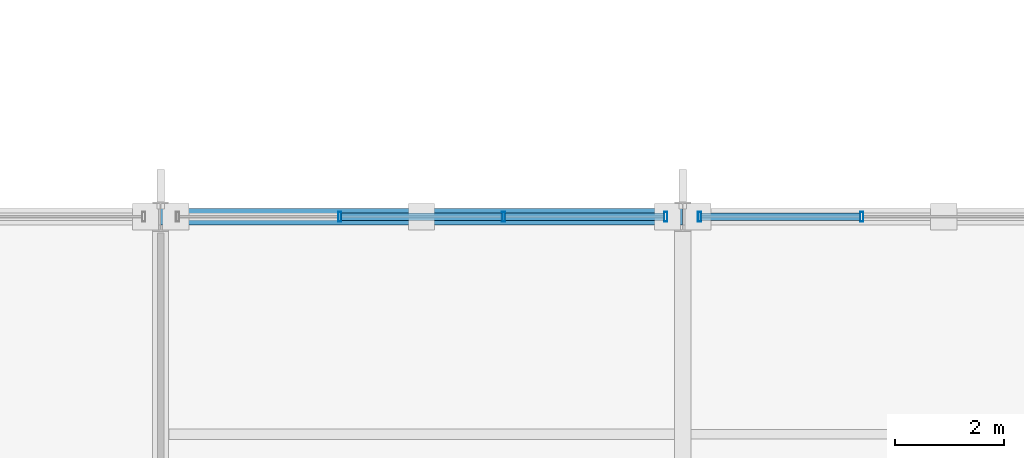
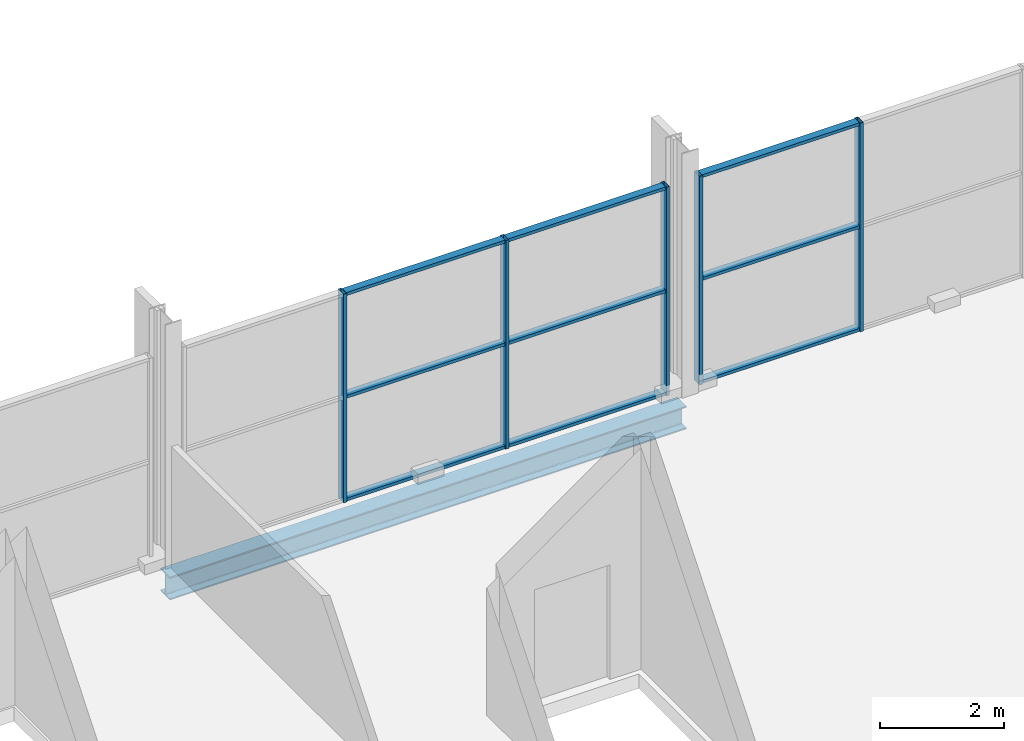
# One storey, part 87 of 159: 14 members, 1 beam, 2 elements without a shape of their own.
"""IFC4 building model written with IfcOpenShell, lengths in metres."""

import ifcopenshell
import ifcopenshell.guid

model = None  # the IFC model being written
_history = None  # IfcOwnerHistory: only IFC2X3 demands one
_inside = {}  # id of a spatial element -> (the spatial element, [elements in it])
_under = {}  # id of a project, library or spatial element -> (it, [spatial elements below it])
_declared = {}  # id of a project -> (the project, [libraries it declares])
_typed = {}  # id of a type object -> (the type object, [elements of that type])
_made_of = {}  # id of a material, layer set ... -> (it, [elements and type objects made of it])


def new_model(schema):
    """Start an empty IFC model of exactly this schema.

    Asked for "IFC4X3", IfcOpenShell would pick the latest addendum, in which some entities
    have other attributes; the version numbers below select the first issue.
    IFC2X3 requires an IfcOwnerHistory on every rooted entity: one is made here for all.
    """
    global model, _history
    if schema == "IFC4X3":
        model = ifcopenshell.file(schema_version=(4, 3, 0, 0))
    else:
        model = ifcopenshell.file(schema=schema)
    _inside.clear()
    _under.clear()
    _declared.clear()
    _typed.clear()
    _made_of.clear()
    _history = None
    if model.schema == "IFC2X3":
        org = make("IfcOrganization", Name="unknown")
        user = make(
            "IfcPersonAndOrganization",
            ThePerson=make("IfcPerson", FamilyName="unknown"),
            TheOrganization=org,
        )
        app = make(
            "IfcApplication",
            ApplicationDeveloper=org,
            Version="unknown",
            ApplicationFullName="unknown",
            ApplicationIdentifier="unknown",
        )
        _history = make(
            "IfcOwnerHistory",
            OwningUser=user,
            OwningApplication=app,
            ChangeAction="ADDED",
            CreationDate=0,
        )
    return model


def make(cls, **values):
    """One entity of the class cls with the attributes given. An attribute that is None is left unset."""
    return model.create_entity(
        cls, **{name: value for name, value in values.items() if value is not None}
    )


def rooted(cls, **values):
    """An entity with a GlobalId (a new one), such as an element, a storey or a relation."""
    return make(cls, GlobalId=ifcopenshell.guid.new(), OwnerHistory=_history, **values)


def si_unit(unit_type, name, prefix=None):
    """IfcSIUnit, for example si_unit("LENGTHUNIT", "METRE", prefix="MILLI")."""
    return make("IfcSIUnit", UnitType=unit_type, Prefix=prefix, Name=name)


def assignment(units):
    """IfcUnitAssignment: the units of a project."""
    return None if units is None else make("IfcUnitAssignment", Units=units)


def point(xyz):
    """IfcCartesianPoint."""
    return None if xyz is None else make("IfcCartesianPoint", Coordinates=xyz)


def direction(xyz):
    """IfcDirection."""
    return None if xyz is None else make("IfcDirection", DirectionRatios=xyz)


def frame(location, z_axis=None, x_axis=None):
    """IfcAxis2Placement3D, a coordinate frame: its origin and axes. An axis left out is left unset."""
    return make(
        "IfcAxis2Placement3D",
        Location=point(location),
        Axis=direction(z_axis),
        RefDirection=direction(x_axis),
    )


def frame_2d(location, x_axis=None):
    """IfcAxis2Placement2D, a coordinate frame in the plane: its origin and x axis."""
    return make(
        "IfcAxis2Placement2D", Location=point(location), RefDirection=direction(x_axis)
    )


def origin():
    """The frame at (0, 0, 0) with its axes left unset."""
    return frame((0.0, 0.0, 0.0))


def origin_2d():
    """The frame at (0, 0) in the plane with its x axis left unset."""
    return frame_2d((0.0, 0.0))


def place(relative_to, where):
    """IfcLocalPlacement: puts the frame where relative to a parent placement (None: the world)."""
    return make(
        "IfcLocalPlacement", PlacementRelTo=relative_to, RelativePlacement=where
    )


def context(
    kind, dimensions, precision=None, world=None, true_north=None, identifier=None
):
    """IfcGeometricRepresentationContext, for example the 3D "Model" context."""
    return make(
        "IfcGeometricRepresentationContext",
        ContextIdentifier=identifier,
        ContextType=kind,
        CoordinateSpaceDimension=dimensions,
        Precision=precision,
        WorldCoordinateSystem=world,
        TrueNorth=true_north,
    )


def subcontext(parent, identifier, kind, view, scale=None):
    """IfcGeometricRepresentationSubContext, for example "Body" below "Model"."""
    return make(
        "IfcGeometricRepresentationSubContext",
        ContextIdentifier=identifier,
        ContextType=kind,
        ParentContext=parent,
        TargetScale=scale,
        TargetView=view,
    )


def project(units=None, contexts=None):
    """IfcProject with its units and contexts."""
    return rooted(
        "IfcProject",
        Name="project",
        RepresentationContexts=contexts,
        UnitsInContext=assignment(units),
    )


def spatial(cls, under=None, at=None, **own):
    """A site, building, storey or space (cls), placed at a placement, below another one or the project."""
    s = rooted(cls, ObjectPlacement=at, **own)
    if under is not None:
        _under.setdefault(under.id(), (under, []))[1].append(s)
    return s


def profile(cls, at=None, kind="AREA", **sizes):
    """A parametric profile (cls). Its sizes go by their IFC names, for example OverallWidth=200.0."""
    return make(cls, ProfileType=kind, Position=at, **sizes)


def hollow_rectangle(**sizes):
    """IfcRectangleHollowProfileDef."""
    return profile("IfcRectangleHollowProfileDef", **sizes)


def i_section(**sizes):
    """IfcIShapeProfileDef."""
    return profile("IfcIShapeProfileDef", **sizes)


def extrude(swept, where, along, depth):
    """IfcExtrudedAreaSolid: the profile swept, set in the frame where, extruded along a direction by depth."""
    return make(
        "IfcExtrudedAreaSolid",
        SweptArea=swept,
        Position=where,
        ExtrudedDirection=direction(along),
        Depth=depth,
    )


def shape(context_of_items, identifier, shape_type, items):
    """IfcShapeRepresentation: the items that make up one representation, for example the "Body"."""
    return make(
        "IfcShapeRepresentation",
        ContextOfItems=context_of_items,
        RepresentationIdentifier=identifier,
        RepresentationType=shape_type,
        Items=items,
    )


def material(Name=None, Category=None):
    """IfcMaterial."""
    return make("IfcMaterial", Name=Name, Category=Category)


def material_profile(
    of_material, cross_section, Name=None, Category=None, Priority=None
):
    """IfcMaterialProfile: a cross section and its material."""
    return make(
        "IfcMaterialProfile",
        Name=Name,
        Material=of_material,
        Profile=cross_section,
        Priority=Priority,
        Category=Category,
    )


def profile_set(profiles, Name=None, composite=None):
    """IfcMaterialProfileSet."""
    return make(
        "IfcMaterialProfileSet",
        Name=Name,
        MaterialProfiles=profiles,
        CompositeProfile=composite,
    )


def made_of(thing, what):
    """Note that an element or type object is made of a material, layer set ...; save() writes the relation."""
    if what is not None:
        _made_of.setdefault(what.id(), (what, []))[1].append(thing)
    return thing


def type_object(cls, material=None, **own):
    """A type object (cls), such as IfcWallType, which elements share."""
    return made_of(rooted(cls, **own), material)


def element(
    cls,
    number,
    at=None,
    inside=None,
    cuts=None,
    type_object=None,
    material=None,
    context=None,
    identifier="Body",
    shape_type=None,
    held_by="IfcProductDefinitionShape",
    body=None,
    shapes=None,
    **own,
):
    """One element of the class cls, such as IfcWall. Its Tag is "e" and its number.

    at: its placement. inside: the storey or other place that contains it. cuts: it is an
    opening in that element (IfcRelVoidsElement). A single representation is given by context,
    identifier, shape_type and body (its items); several are given by shapes. held_by: the class
    of the entity that holds the representations. save() writes the other relations.
    """
    e = rooted(cls, Tag="e%d" % number, ObjectPlacement=at, **own)
    if body is not None:
        shapes = [shape(context, identifier, shape_type, body)]
    if shapes is not None:
        e.Representation = make(held_by, Representations=shapes)
    if inside is not None:
        _inside.setdefault(inside.id(), (inside, []))[1].append(e)
    if cuts is not None:
        rooted(
            "IfcRelVoidsElement", RelatingBuildingElement=cuts, RelatedOpeningElement=e
        )
    if type_object is not None:
        _typed.setdefault(type_object.id(), (type_object, []))[1].append(e)
    return made_of(e, material)


def aggregate(whole, parts):
    """IfcRelAggregates: a whole, such as a stair, and the parts it consists of."""
    return rooted("IfcRelAggregates", RelatingObject=whole, RelatedObjects=parts)


def save(model, path):
    """Write the relations noted so far, then the file.

    IfcRelAggregates (storeys below a building ...), IfcRelContainedInSpatialStructure (elements
    in a storey), IfcRelDefinesByType, IfcRelAssociatesMaterial and IfcRelDeclares: one each for
    every whole, place, type object, material and project.
    """
    for whole, parts in _under.values():
        aggregate(whole, parts)
    for where, things in _inside.values():
        rooted(
            "IfcRelContainedInSpatialStructure",
            RelatedElements=things,
            RelatingStructure=where,
        )
    for kind, things in _typed.values():
        rooted("IfcRelDefinesByType", RelatedObjects=things, RelatingType=kind)
    for what, things in _made_of.values():
        rooted("IfcRelAssociatesMaterial", RelatedObjects=things, RelatingMaterial=what)
    for by, libraries in _declared.values():
        rooted("IfcRelDeclares", RelatingContext=by, RelatedDefinitions=libraries)
    model.write(path)


model = new_model("IFC4")

# Units and contexts
model_context = context("Model", 3, precision=1e-05, world=origin(), true_north=direction((0.0, 1.0)))
body_context = subcontext(model_context, "Body", "Model", "MODEL_VIEW")
ifc_project = project(units=[si_unit("LENGTHUNIT", "METRE"), si_unit("AREAUNIT", "SQUARE_METRE"), si_unit("VOLUMEUNIT", "CUBIC_METRE"), si_unit("PLANEANGLEUNIT", "RADIAN"), si_unit("MASSUNIT", "GRAM", prefix="KILO")], contexts=[model_context])

# Site, building, storey
site_placement = place(None, origin())
site = spatial("IfcSite", under=ifc_project, at=site_placement, CompositionType="ELEMENT")
building_placement = place(site_placement, origin())
building = spatial("IfcBuilding", under=site, at=building_placement, Name="Merenkruunu Market Hall", CompositionType="ELEMENT")
storey_placement = place(building_placement, frame((0.0, 0.0, 5.39990234375)))
storey = spatial("IfcBuildingStorey", under=building, at=storey_placement, Name="L01", CompositionType="ELEMENT", Elevation=5.39990234375)

# Curtain wall, members
ifc_material_1 = material(Name="Powder-coated aluminium", Category="aluminium")
curtain_wall_type = type_object("IfcCurtainWallType", Name="Glazed Curtain Wall CW09", PredefinedType="USERDEFINED", material=ifc_material_1)
curtain_wall_1_placement = place(storey_placement, origin())
curtain_wall_1 = element("IfcCurtainWall", 1, at=curtain_wall_1_placement, inside=storey, type_object=curtain_wall_type, Name="CW-L01-CWM02-060", ObjectType="GLAZED_FACADE", PredefinedType="USERDEFINED")
ifc_material_profile_1 = material_profile(ifc_material_1, hollow_rectangle(XDim=0.06005859375, YDim=0.179931640625, WallThickness=0.00390625, at=origin_2d()), Name="ALU 60x180x4")
ifc_profile_set_1 = profile_set([ifc_material_profile_1], Name="Powder-coated aluminium")
member_type_1 = type_object("IfcMemberType", Name="Curtain Wall Mullion CWM02", PredefinedType="MULLION", material=ifc_profile_set_1)
member_1_placement = place(storey_placement, frame((32.09326171875, 111.60009765625, 0.0), z_axis=(0.0, 0.0, 1.0), x_axis=(1.0, 0.0, 0.0)))
member_1 = element("IfcMember", 2, at=member_1_placement, type_object=member_type_1, Name="CW09 mullion 2", PredefinedType="MULLION", context=body_context, shape_type="SweptSolid", body=[
    extrude(hollow_rectangle(XDim=0.06005859375, YDim=0.179931640625, WallThickness=0.00390625, at=origin_2d()), origin(), (0.0, 0.0, 1.0), 4.10009765625),
])
member_2_placement = place(storey_placement, frame((35.106689453125, 111.60009765625, 0.0), z_axis=(0.0, 0.0, 1.0), x_axis=(1.0, 0.0, 0.0)))
member_2 = element("IfcMember", 3, at=member_2_placement, type_object=member_type_1, Name="CW09 mullion 3", PredefinedType="MULLION", context=body_context, shape_type="SweptSolid", body=[
    extrude(hollow_rectangle(XDim=0.06005859375, YDim=0.179931640625, WallThickness=0.00390625, at=origin_2d()), origin(), (0.0, 0.0, 1.0), 4.10009765625),
])
member_3_placement = place(storey_placement, frame((38.090087890625, 111.60009765625, 0.0), z_axis=(0.0, 0.0, 1.0), x_axis=(1.0, 0.0, 0.0)))
member_3 = element("IfcMember", 4, at=member_3_placement, type_object=member_type_1, Name="CW09 mullion 4", PredefinedType="MULLION", context=body_context, shape_type="SweptSolid", body=[
    extrude(hollow_rectangle(XDim=0.06005859375, YDim=0.179931640625, WallThickness=0.00390625, at=origin_2d()), origin(), (0.0, 0.0, 1.0), 4.10009765625),
])

curtain_wall_2_placement = place(storey_placement, origin())
curtain_wall_2 = element("IfcCurtainWall", 5, at=curtain_wall_2_placement, inside=storey, type_object=curtain_wall_type, Name="CW-L01-CWM02-063", ObjectType="GLAZED_FACADE", PredefinedType="USERDEFINED")
member_4_placement = place(storey_placement, frame((38.7099609375, 111.60009765625, 0.0), z_axis=(0.0, 0.0, 1.0), x_axis=(1.0, 0.0, 0.0)))
member_4 = element("IfcMember", 6, at=member_4_placement, type_object=member_type_1, Name="CW09 mullion 1", PredefinedType="MULLION", context=body_context, shape_type="SweptSolid", body=[
    extrude(hollow_rectangle(XDim=0.06005859375, YDim=0.179931640625, WallThickness=0.00390625, at=origin_2d()), origin(), (0.0, 0.0, 1.0), 4.10009765625),
])
member_5_placement = place(storey_placement, frame((41.693359375, 111.60009765625, 0.0), z_axis=(0.0, 0.0, 1.0), x_axis=(1.0, 0.0, 0.0)))
member_5 = element("IfcMember", 7, at=member_5_placement, type_object=member_type_1, Name="CW09 mullion 2", PredefinedType="MULLION", context=body_context, shape_type="SweptSolid", body=[
    extrude(hollow_rectangle(XDim=0.06005859375, YDim=0.179931640625, WallThickness=0.00390625, at=origin_2d()), origin(), (0.0, 0.0, 1.0), 4.10009765625),
])

# Member
ifc_material_profile_2 = material_profile(ifc_material_1, hollow_rectangle(XDim=0.06005859375, YDim=0.139892578125, WallThickness=0.00390625, at=origin_2d()), Name="ALU 60x140x4")
ifc_profile_set_2 = profile_set([ifc_material_profile_2], Name="Powder-coated aluminium")
member_type_2 = type_object("IfcMemberType", Name="Curtain Wall Transom CWT02", PredefinedType="USERDEFINED", material=ifc_profile_set_2)
member_6_placement = place(storey_placement, frame((32.123291015625, 111.60009765625, 0.030029296875), z_axis=(1.0, 0.0, 0.0), x_axis=(0.0, 0.0, 1.0)))
member_6 = element("IfcMember", 8, at=member_6_placement, type_object=member_type_2, Name="CW09 transom 2.1", ObjectType="TRANSOM", PredefinedType="USERDEFINED", context=body_context, shape_type="SweptSolid", body=[
    extrude(hollow_rectangle(XDim=0.06005859375, YDim=0.139892578125, WallThickness=0.00390625, at=origin_2d()), origin(), (0.0, 0.0, 1.0), 2.953369140625),
])

member_7_placement = place(storey_placement, frame((32.123291015625, 111.60009765625, 2.050048828125), z_axis=(1.0, 0.0, 0.0), x_axis=(0.0, 0.0, 1.0)))
member_7 = element("IfcMember", 9, at=member_7_placement, type_object=member_type_2, Name="CW09 transom 2.2", ObjectType="TRANSOM", PredefinedType="USERDEFINED", context=body_context, shape_type="SweptSolid", body=[
    extrude(hollow_rectangle(XDim=0.06005859375, YDim=0.139892578125, WallThickness=0.00390625, at=origin_2d()), origin(), (0.0, 0.0, 1.0), 2.953369140625),
])

member_8_placement = place(storey_placement, frame((32.123291015625, 111.60009765625, 4.070068359375), z_axis=(1.0, 0.0, 0.0), x_axis=(0.0, 0.0, 1.0)))
member_8 = element("IfcMember", 10, at=member_8_placement, type_object=member_type_2, Name="CW09 transom 2.3", ObjectType="TRANSOM", PredefinedType="USERDEFINED", context=body_context, shape_type="SweptSolid", body=[
    extrude(hollow_rectangle(XDim=0.06005859375, YDim=0.139892578125, WallThickness=0.00390625, at=origin_2d()), origin(), (0.0, 0.0, 1.0), 2.953369140625),
])

member_9_placement = place(storey_placement, frame((35.13671875, 111.60009765625, 0.030029296875), z_axis=(1.0, 0.0, 0.0), x_axis=(0.0, 0.0, 1.0)))
member_9 = element("IfcMember", 11, at=member_9_placement, type_object=member_type_2, Name="CW09 transom 3.1", ObjectType="TRANSOM", PredefinedType="USERDEFINED", context=body_context, shape_type="SweptSolid", body=[
    extrude(hollow_rectangle(XDim=0.06005859375, YDim=0.139892578125, WallThickness=0.00390625, at=origin_2d()), origin(), (0.0, 0.0, 1.0), 2.92333984375),
])

member_10_placement = place(storey_placement, frame((35.13671875, 111.60009765625, 2.050048828125), z_axis=(1.0, 0.0, 0.0), x_axis=(0.0, 0.0, 1.0)))
member_10 = element("IfcMember", 12, at=member_10_placement, type_object=member_type_2, Name="CW09 transom 3.2", ObjectType="TRANSOM", PredefinedType="USERDEFINED", context=body_context, shape_type="SweptSolid", body=[
    extrude(hollow_rectangle(XDim=0.06005859375, YDim=0.139892578125, WallThickness=0.00390625, at=origin_2d()), origin(), (0.0, 0.0, 1.0), 2.92333984375),
])

member_11_placement = place(storey_placement, frame((35.13671875, 111.60009765625, 4.070068359375), z_axis=(1.0, 0.0, 0.0), x_axis=(0.0, 0.0, 1.0)))
member_11 = element("IfcMember", 13, at=member_11_placement, type_object=member_type_2, Name="CW09 transom 3.3", ObjectType="TRANSOM", PredefinedType="USERDEFINED", context=body_context, shape_type="SweptSolid", body=[
    extrude(hollow_rectangle(XDim=0.06005859375, YDim=0.139892578125, WallThickness=0.00390625, at=origin_2d()), origin(), (0.0, 0.0, 1.0), 2.92333984375),
])

aggregate(curtain_wall_1, [member_1, member_2, member_3, member_6, member_7, member_8, member_9, member_10, member_11])

member_12_placement = place(storey_placement, frame((38.739990234375, 111.60009765625, 0.030029296875), z_axis=(1.0, 0.0, 0.0), x_axis=(0.0, 0.0, 1.0)))
member_12 = element("IfcMember", 14, at=member_12_placement, type_object=member_type_2, Name="CW09 transom 1.1", ObjectType="TRANSOM", PredefinedType="USERDEFINED", context=body_context, shape_type="SweptSolid", body=[
    extrude(hollow_rectangle(XDim=0.06005859375, YDim=0.139892578125, WallThickness=0.00390625, at=origin_2d()), origin(), (0.0, 0.0, 1.0), 2.92333984375),
])

member_13_placement = place(storey_placement, frame((38.739990234375, 111.60009765625, 2.050048828125), z_axis=(1.0, 0.0, 0.0), x_axis=(0.0, 0.0, 1.0)))
member_13 = element("IfcMember", 15, at=member_13_placement, type_object=member_type_2, Name="CW09 transom 1.2", ObjectType="TRANSOM", PredefinedType="USERDEFINED", context=body_context, shape_type="SweptSolid", body=[
    extrude(hollow_rectangle(XDim=0.06005859375, YDim=0.139892578125, WallThickness=0.00390625, at=origin_2d()), origin(), (0.0, 0.0, 1.0), 2.92333984375),
])

member_14_placement = place(storey_placement, frame((38.739990234375, 111.60009765625, 4.070068359375), z_axis=(1.0, 0.0, 0.0), x_axis=(0.0, 0.0, 1.0)))
member_14 = element("IfcMember", 16, at=member_14_placement, type_object=member_type_2, Name="CW09 transom 1.3", ObjectType="TRANSOM", PredefinedType="USERDEFINED", context=body_context, shape_type="SweptSolid", body=[
    extrude(hollow_rectangle(XDim=0.06005859375, YDim=0.139892578125, WallThickness=0.00390625, at=origin_2d()), origin(), (0.0, 0.0, 1.0), 2.92333984375),
])

aggregate(curtain_wall_2, [member_4, member_5, member_12, member_13, member_14])

# Beam
ifc_material_2 = material(Name="Steel S355J2", Category="steel")
ifc_material_profile_3 = material_profile(ifc_material_2, i_section(OverallWidth=0.300048828125, OverallDepth=0.449951171875, WebThickness=0.013916015625, FlangeThickness=0.02587890625, FilletRadius=0.027099609375, at=origin_2d()), Name="HEB 450")
ifc_profile_set_3 = profile_set([ifc_material_profile_3], Name="Steel S355J2")
beam_type = type_object("IfcBeamType", Name="Primary Floor Girder B03", PredefinedType="BEAM", material=ifc_profile_set_3)
beam_placement = place(storey_placement, frame((28.800048828125, 111.60009765625, -0.5048828125), z_axis=(1.0, 0.0, 0.0), x_axis=(0.0, 1.0, 0.0)))
element("IfcBeam", 17, at=beam_placement, inside=storey, type_object=beam_type, Name="BM-L01-B03-0548", PredefinedType="BEAM", context=body_context, shape_type="SweptSolid", body=[
    extrude(i_section(OverallWidth=0.300048828125, OverallDepth=0.449951171875, WebThickness=0.013916015625, FlangeThickness=0.02587890625, FilletRadius=0.027099609375, at=origin_2d()), origin(), (0.0, 0.0, 1.0), 9.599853515625),
])

save(model, "model.ifc")
